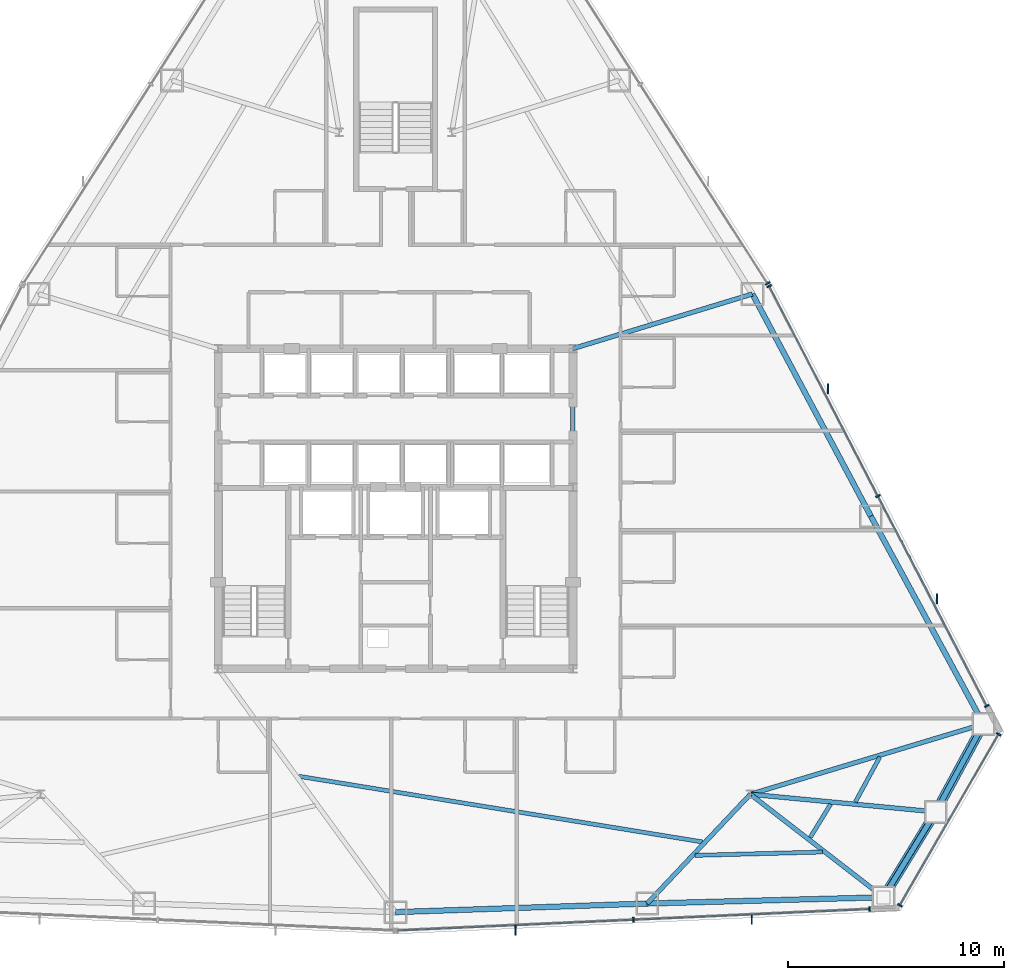
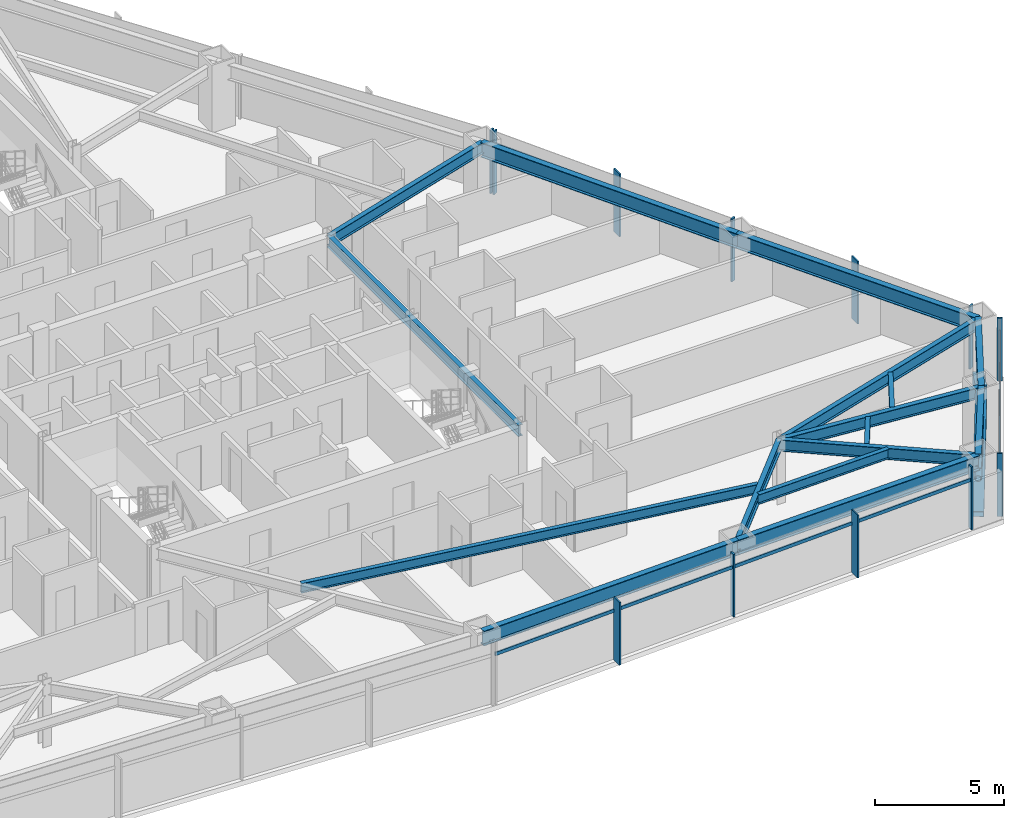
# One storey, part 6 of 13: 18 members, 16 beams, 4 elements without a shape of their own.
"""IFC4 building model written with IfcOpenShell, lengths in metres."""

from ifc_helpers import new_model, si_unit, direction, frame, origin, origin_2d, place, context, subcontext, project, spatial, rectangle, hollow_rectangle, hollow_circle, i_section, extrude, source, transform, mapped, material, layer, layer_set, material_profile, profile_set, type_object, type_shapes, element, aggregate, save


model = new_model("IFC4")

# Units and contexts
model_context = context("Model", 3, precision=1e-05, world=origin(), true_north=direction((0.0, 1.0)))
body_context = subcontext(model_context, "Body", "Model", "MODEL_VIEW")
ifc_project = project(units=[si_unit("LENGTHUNIT", "METRE"), si_unit("AREAUNIT", "SQUARE_METRE"), si_unit("VOLUMEUNIT", "CUBIC_METRE"), si_unit("PLANEANGLEUNIT", "RADIAN"), si_unit("MASSUNIT", "GRAM", prefix="KILO")], contexts=[model_context])

# Site, building, storey
site_placement = place(None, origin())
site = spatial("IfcSite", under=ifc_project, at=site_placement, CompositionType="ELEMENT")
building_placement = place(site_placement, origin())
building = spatial("IfcBuilding", under=site, at=building_placement, Name="Varakhsha Concourse Tower", CompositionType="ELEMENT")
storey_placement = place(building_placement, frame((0.0, 0.0, 86.199951171875)))
storey = spatial("IfcBuildingStorey", under=building, at=storey_placement, Name="L24", CompositionType="ELEMENT", Elevation=86.199951171875)

# Beams
ifc_material_1 = material(Name="Structural Steel ASTM A992 Grade 50", Category="steel")
ifc_material_profile_1 = material_profile(ifc_material_1, i_section(OverallWidth=0.19091796875, OverallDepth=0.45703125, WebThickness=0.009033203125, FlangeThickness=0.013916015625, at=origin_2d()), Name="W18X50")
ifc_profile_set_1 = profile_set([ifc_material_profile_1], Name="Structural Steel ASTM A992 Grade 50")
beam_type_1 = type_object("IfcBeamType", Name="BM-JST-W18X50", PredefinedType="JOIST", material=ifc_profile_set_1)
beam_1_placement = place(storey_placement, frame((35.5166015625, 11.43310546875, 2.741455078125), z_axis=(0.987027059065, -0.160553993018, 0.0), x_axis=(0.160553993018, 0.987027059065, 0.0)))
element("IfcBeam", 1, at=beam_1_placement, inside=storey, type_object=beam_type_1, Name="BM-TJST-L24-11", PredefinedType="JOIST", context=body_context, shape_type="SweptSolid", body=[
    extrude(i_section(OverallWidth=0.19091796875, OverallDepth=0.45703125, WebThickness=0.009033203125, FlangeThickness=0.013916015625, at=origin_2d()), origin(), (0.0, 0.0, 1.0), 18.9208984375),
])
beam_2_placement = place(storey_placement, frame((53.838134765625, 7.7744140625, 2.741455078125), z_axis=(0.999648110151, 0.02652651261, 0.0), x_axis=(-0.02652651261, 0.999648110151, 0.0)))
element("IfcBeam", 2, at=beam_2_placement, inside=storey, type_object=beam_type_1, Name="BM-TJST-L24-12", PredefinedType="JOIST", context=body_context, shape_type="SweptSolid", body=[
    extrude(i_section(OverallWidth=0.19091796875, OverallDepth=0.45703125, WebThickness=0.009033203125, FlangeThickness=0.013916015625, at=origin_2d()), origin(), (0.0, 0.0, 1.0), 5.899658203125),
])
beam_3_placement = place(storey_placement, frame((59.164794921875, 8.598876953125, 2.741455078125), z_axis=(0.522010135783, 0.852939281626, 0.0), x_axis=(-0.852939281626, 0.522010135783, 0.0)))
element("IfcBeam", 3, at=beam_3_placement, inside=storey, type_object=beam_type_1, Name="BM-TJST-L24-13", PredefinedType="JOIST", context=body_context, shape_type="SweptSolid", body=[
    extrude(i_section(OverallWidth=0.19091796875, OverallDepth=0.45703125, WebThickness=0.009033203125, FlangeThickness=0.013916015625, at=origin_2d()), origin(), (0.0, 0.0, 1.0), 1.815673828125),
])
beam_4_placement = place(storey_placement, frame((61.250732421875, 10.239990234375, 2.741455078125), z_axis=(0.477516776867, 0.87862263106, 0.0), x_axis=(-0.87862263106, 0.477516776867, 0.0)))
element("IfcBeam", 4, at=beam_4_placement, inside=storey, type_object=beam_type_1, Name="BM-TJST-L24-14", PredefinedType="JOIST", context=body_context, shape_type="SweptSolid", body=[
    extrude(i_section(OverallWidth=0.19091796875, OverallDepth=0.45703125, WebThickness=0.009033203125, FlangeThickness=0.013916015625, at=origin_2d()), origin(), (0.0, 0.0, 1.0), 2.370849609375),
])
ifc_material_profile_2 = material_profile(ifc_material_1, i_section(OverallWidth=0.2109375, OverallDepth=0.5390625, WebThickness=0.011962890625, FlangeThickness=0.01904296875, at=origin_2d()), Name="W21X73")
ifc_profile_set_2 = profile_set([ifc_material_profile_2], Name="Structural Steel ASTM A992 Grade 50")
beam_type_2 = type_object("IfcBeamType", Name="BM-RAD-W21X73", PredefinedType="BEAM", material=ifc_profile_set_2)
beam_5_placement = place(storey_placement, frame((48.199951171875, 16.39990234375, 2.700439453125), z_axis=(0.0, 1.0, 0.0), x_axis=(-1.0, 0.0, 0.0)))
element("IfcBeam", 5, at=beam_5_placement, inside=storey, type_object=beam_type_2, Name="BM-TCORE-L24-CE", PredefinedType="BEAM", context=body_context, shape_type="SweptSolid", body=[
    extrude(i_section(OverallWidth=0.2109375, OverallDepth=0.5390625, WebThickness=0.011962890625, FlangeThickness=0.01904296875, at=origin_2d()), origin(), (0.0, 0.0, 1.0), 14.800048828125),
])
beam_6_placement = place(storey_placement, frame((56.39990234375, 10.60009765625, 2.700439453125), z_axis=(-0.686667898497, -0.726971249207, 0.0), x_axis=(0.726971249207, -0.686667898497, 0.0)))
element("IfcBeam", 6, at=beam_6_placement, inside=storey, type_object=beam_type_2, Name="L24 Radial Floor Girder 12", PredefinedType="BEAM", context=body_context, shape_type="SweptSolid", body=[
    extrude(i_section(OverallWidth=0.2109375, OverallDepth=0.5390625, WebThickness=0.011962890625, FlangeThickness=0.01904296875, at=origin_2d()), origin(), (0.0, 0.0, 1.0), 6.947998046875),
])
beam_7_placement = place(storey_placement, frame((56.39990234375, 10.60009765625, 2.700439453125), z_axis=(0.790863829476, -0.611992159449, 0.0), x_axis=(0.611992159449, 0.790863829476, 0.0)))
element("IfcBeam", 7, at=beam_7_placement, inside=storey, type_object=beam_type_2, Name="L24 Radial Floor Girder 13", PredefinedType="BEAM", context=body_context, shape_type="SweptSolid", body=[
    extrude(i_section(OverallWidth=0.2109375, OverallDepth=0.5390625, WebThickness=0.011962890625, FlangeThickness=0.01904296875, at=origin_2d()), origin(), (0.0, 0.0, 1.0), 7.77978515625),
])
beam_8_placement = place(storey_placement, frame((56.39990234375, 10.60009765625, 2.700439453125), z_axis=(0.995499423712, -0.094767596724, 0.0), x_axis=(0.094767596724, 0.995499423712, 0.0)))
element("IfcBeam", 8, at=beam_8_placement, inside=storey, type_object=beam_type_2, Name="L24 Radial Floor Girder 14", PredefinedType="BEAM", context=body_context, shape_type="SweptSolid", body=[
    extrude(i_section(OverallWidth=0.2109375, OverallDepth=0.5390625, WebThickness=0.011962890625, FlangeThickness=0.01904296875, at=origin_2d()), origin(), (0.0, 0.0, 1.0), 8.607177734375),
])
beam_9_placement = place(storey_placement, frame((56.39990234375, 10.60009765625, 2.700439453125), z_axis=(0.957434410413, 0.288650913313, 0.0), x_axis=(-0.288650913313, 0.957434410413, 0.0)))
element("IfcBeam", 9, at=beam_9_placement, inside=storey, type_object=beam_type_2, Name="L24 Radial Floor Girder 15", PredefinedType="BEAM", context=body_context, shape_type="SweptSolid", body=[
    extrude(i_section(OverallWidth=0.2109375, OverallDepth=0.5390625, WebThickness=0.011962890625, FlangeThickness=0.01904296875, at=origin_2d()), origin(), (0.0, 0.0, 1.0), 11.2568359375),
])
beam_10_placement = place(storey_placement, frame((48.199951171875, 31.199951171875, 2.700439453125), z_axis=(0.956697744709, 0.291083193036, 0.0), x_axis=(-0.291083193036, 0.956697744709, 0.0)))
element("IfcBeam", 10, at=beam_10_placement, inside=storey, type_object=beam_type_2, Name="L24 Radial Floor Girder 17", PredefinedType="BEAM", context=body_context, shape_type="SweptSolid", body=[
    extrude(i_section(OverallWidth=0.2109375, OverallDepth=0.5390625, WebThickness=0.011962890625, FlangeThickness=0.01904296875, at=origin_2d()), origin(), (0.0, 0.0, 1.0), 8.671630859375),
])
ifc_material_profile_3 = material_profile(ifc_material_1, i_section(OverallWidth=0.25390625, OverallDepth=0.701904296875, WebThickness=0.014892578125, FlangeThickness=0.028076171875, at=origin_2d()), Name="W27X129")
ifc_profile_set_3 = profile_set([ifc_material_profile_3], Name="Structural Steel ASTM A992 Grade 50")
beam_type_3 = type_object("IfcBeamType", Name="BM-SPAN-W27X129", PredefinedType="SPANDREL", material=ifc_profile_set_3)
beam_11_placement = place(storey_placement, frame((40.0, 5.15185546875, 2.619140625), z_axis=(0.999417135447, 0.034137799785, 0.0), x_axis=(-0.034137799785, 0.999417135447, 0.0)))
element("IfcBeam", 11, at=beam_11_placement, inside=storey, type_object=beam_type_3, Name="BM-SPAN-L24-11", PredefinedType="SPANDREL", context=body_context, shape_type="SweptSolid", body=[
    extrude(i_section(OverallWidth=0.25390625, OverallDepth=0.701904296875, WebThickness=0.014892578125, FlangeThickness=0.028076171875, at=origin_2d()), origin(), (0.0, 0.0, 1.0), 11.6357421875),
])
beam_12_placement = place(storey_placement, frame((51.62890625, 5.549072265625, 2.619140625), z_axis=(0.999648299755, 0.026519366436, 0.0), x_axis=(-0.026519366436, 0.999648299755, 0.0)))
element("IfcBeam", 12, at=beam_12_placement, inside=storey, type_object=beam_type_3, Name="BM-SPAN-L24-12", PredefinedType="SPANDREL", context=body_context, shape_type="SweptSolid", body=[
    extrude(i_section(OverallWidth=0.25390625, OverallDepth=0.701904296875, WebThickness=0.014892578125, FlangeThickness=0.028076171875, at=origin_2d()), origin(), (0.0, 0.0, 1.0), 10.927734375),
])
beam_13_placement = place(storey_placement, frame((62.552734375, 5.8388671875, 2.619140625), z_axis=(0.522135058867, 0.852862814468, 0.0), x_axis=(-0.852862814468, 0.522135058867, 0.0)))
element("IfcBeam", 13, at=beam_13_placement, inside=storey, type_object=beam_type_3, Name="BM-SPAN-L24-13", PredefinedType="SPANDREL", context=body_context, shape_type="SweptSolid", body=[
    extrude(i_section(OverallWidth=0.25390625, OverallDepth=0.701904296875, WebThickness=0.014892578125, FlangeThickness=0.028076171875, at=origin_2d()), origin(), (0.0, 0.0, 1.0), 4.626220703125),
])
beam_14_placement = place(storey_placement, frame((64.96826171875, 9.784423828125, 2.619140625), z_axis=(0.47751686281, 0.878622584351, 0.0), x_axis=(-0.878622584351, 0.47751686281, 0.0)))
element("IfcBeam", 14, at=beam_14_placement, inside=storey, type_object=beam_type_3, Name="BM-SPAN-L24-14", PredefinedType="SPANDREL", context=body_context, shape_type="SweptSolid", body=[
    extrude(i_section(OverallWidth=0.25390625, OverallDepth=0.701904296875, WebThickness=0.014892578125, FlangeThickness=0.028076171875, at=origin_2d()), origin(), (0.0, 0.0, 1.0), 4.62646484375),
])
beam_15_placement = place(storey_placement, frame((67.177490234375, 13.849365234375, 2.619140625), z_axis=(-0.476839407103, 0.878990432163, 0.0), x_axis=(-0.878990432163, -0.476839407103, 0.0)))
element("IfcBeam", 15, at=beam_15_placement, inside=storey, type_object=beam_type_3, Name="BM-SPAN-L24-15", PredefinedType="SPANDREL", context=body_context, shape_type="SweptSolid", body=[
    extrude(i_section(OverallWidth=0.25390625, OverallDepth=0.701904296875, WebThickness=0.014892578125, FlangeThickness=0.028076171875, at=origin_2d()), origin(), (0.0, 0.0, 1.0), 10.927490234375),
])
beam_16_placement = place(storey_placement, frame((61.966796875, 23.45458984375, 2.619140625), z_axis=(-0.470161283072, 0.882580516384, 0.0), x_axis=(-0.882580516384, -0.470161283072, 0.0)))
element("IfcBeam", 16, at=beam_16_placement, inside=storey, type_object=beam_type_3, Name="BM-SPAN-L24-16", PredefinedType="SPANDREL", context=body_context, shape_type="SweptSolid", body=[
    extrude(i_section(OverallWidth=0.25390625, OverallDepth=0.701904296875, WebThickness=0.014892578125, FlangeThickness=0.028076171875, at=origin_2d()), origin(), (0.0, 0.0, 1.0), 11.6357421875),
])

# Members
ifc_material_2 = material(Name="Structural Steel ASTM A500 Grade C", Category="steel")
ifc_material_profile_4 = material_profile(ifc_material_2, hollow_rectangle(XDim=0.449951171875, YDim=0.449951171875, WallThickness=0.01904296875, at=origin_2d()), Name="HSS 450x450x19")
ifc_profile_set_4 = profile_set([ifc_material_profile_4], Name="Structural Steel ASTM A500 Grade C")
member_type_1 = type_object("IfcMemberType", Name="MB-TUBE-HSS450", PredefinedType="BRACE", material=ifc_profile_set_4)
shared_shape_1 = source(origin(), body_context, "Body", "SweptSolid", [
    extrude(hollow_rectangle(XDim=0.449951171875, YDim=0.449951171875, WallThickness=0.01904296875, at=origin_2d()), origin(), (0.0, 0.0, 1.0), 5.282470703125),
])
member_1_placement = place(storey_placement, frame((62.552734375, 5.8388671875, 0.1201171875), z_axis=(0.457268644843, 0.746909093319, 0.482734080795), x_axis=(-0.852862814468, 0.522135058867, 0.0)))
element("IfcMember", 17, at=member_1_placement, inside=storey, type_object=member_type_1, Name="L24 Wind-Corner Tube Brace B05", PredefinedType="BRACE", context=body_context, shape_type="MappedRepresentation", body=[
    mapped(shared_shape_1, transform((0.0, 0.0, 0.0), scale=1.0)),
])
shared_shape_2 = source(origin(), body_context, "Body", "SweptSolid", [
    extrude(hollow_rectangle(XDim=0.449951171875, YDim=0.449951171875, WallThickness=0.01904296875, at=origin_2d()), origin(), (0.0, 0.0, 1.0), 5.28271484375),
])
type_shapes(member_type_1, [shared_shape_1, shared_shape_2])
member_2_placement = place(storey_placement, frame((67.177490234375, 13.849365234375, 0.1201171875), z_axis=(-0.418198623406, -0.769478072684, 0.482714622774), x_axis=(0.878622584351, -0.47751686281, 0.0)))
element("IfcMember", 18, at=member_2_placement, inside=storey, type_object=member_type_1, Name="L24 Wind-Corner Tube Brace B06", PredefinedType="BRACE", context=body_context, shape_type="MappedRepresentation", body=[
    mapped(shared_shape_2, transform((0.0, 0.0, 0.0), scale=1.0)),
])
ifc_material_profile_5 = material_profile(ifc_material_2, hollow_circle(Radius=0.136474609375, WallThickness=0.011962890625, at=origin_2d()), Name="CHS 273x12")
ifc_profile_set_5 = profile_set([ifc_material_profile_5], Name="Structural Steel ASTM A500 Grade C")
member_type_2 = type_object("IfcMemberType", Name="MB-WIND-CHS273", PredefinedType="COLLAR", material=ifc_profile_set_5)
shared_shape_3 = source(origin(), body_context, "Body", "SweptSolid", [
    extrude(hollow_circle(Radius=0.136474609375, WallThickness=0.011962890625, at=origin_2d()), origin(), (0.0, 0.0, 1.0), 4.626220703125),
])
type_shapes(member_type_2, [shared_shape_3])
member_3_placement = place(storey_placement, frame((62.552734375, 5.8388671875, 1.800048828125), z_axis=(0.522135058867, 0.852862814468, 0.0), x_axis=(-0.852862814468, 0.522135058867, 0.0)))
element("IfcMember", 19, at=member_3_placement, inside=storey, type_object=member_type_2, Name="L24 Wind-Corner Collar Tie 3", PredefinedType="COLLAR", context=body_context, shape_type="MappedRepresentation", body=[
    mapped(shared_shape_3, transform((0.0, 0.0, 0.0), scale=1.0)),
])

# Curtain wall, members
ifc_material_3 = material(Name="Anodised Bronze Architectural Aluminium AA 6063-T6", Category="aluminium")
ifc_layer = layer(ifc_material_3, 0.199951171875, Name="CW-SYS-03")
ifc_layer_set = layer_set([ifc_layer], Name="Anodised Bronze Architectural Aluminium AA 6063-T6")
curtain_wall_type = type_object("IfcCurtainWallType", Name="CW-SYS-03", PredefinedType="NOTDEFINED", material=ifc_layer_set)
curtain_wall_1_placement = place(storey_placement, origin())
curtain_wall_1 = element("IfcCurtainWall", 20, at=curtain_wall_1_placement, inside=storey, type_object=curtain_wall_type, Name="L24 Crystal Curtain Wall F6", PredefinedType="NOTDEFINED")
ifc_material_profile_6 = material_profile(ifc_material_3, rectangle(XDim=0.074951171875, YDim=0.219970703125, at=origin_2d()), Name="CWM-220X75")
ifc_profile_set_6 = profile_set([ifc_material_profile_6], Name="Anodised Bronze Architectural Aluminium AA 6063-T6")
member_type_3 = type_object("IfcMemberType", Name="CWM-220X75", PredefinedType="MULLION", material=ifc_profile_set_6)
shared_shape_4 = source(origin(), body_context, "Body", "SweptSolid", [
    extrude(rectangle(XDim=0.074951171875, YDim=0.219970703125, at=origin_2d()), origin(), (0.0, 0.0, 1.0), 2.969970703125),
])
type_shapes(member_type_3, [shared_shape_4])
member_4_placement = place(storey_placement, frame((61.911865234375, 5.29541015625, 0.0), z_axis=(0.0, 0.0, 1.0), x_axis=(-0.998969777905, -0.045380423448, 0.0)))
member_4 = element("IfcMember", 21, at=member_4_placement, type_object=member_type_3, Name="CW-L24-F6 Mullion 00", PredefinedType="MULLION", context=body_context, shape_type="MappedRepresentation", body=[
    mapped(shared_shape_4, transform((0.0, 0.0, 0.0), scale=1.0)),
])
member_5_placement = place(storey_placement, frame((50.9921875, 4.79931640625, 0.0), z_axis=(0.0, 0.0, 1.0), x_axis=(-0.998969777905, -0.045380423448, 0.0)))
member_5 = element("IfcMember", 22, at=member_5_placement, type_object=member_type_3, Name="CW-L24-F6 Mullion 01", PredefinedType="MULLION", context=body_context, shape_type="MappedRepresentation", body=[
    mapped(shared_shape_4, transform((0.0, 0.0, 0.0), scale=1.0)),
])

curtain_wall_2_placement = place(storey_placement, origin())
curtain_wall_2 = element("IfcCurtainWall", 23, at=curtain_wall_2_placement, inside=storey, type_object=curtain_wall_type, Name="L24 Chamfer Curtain Wall F7", PredefinedType="NOTDEFINED")
member_6_placement = place(storey_placement, frame((67.874755859375, 13.378662109375, 0.0), z_axis=(0.0, 0.0, 1.0), x_axis=(-0.499996976998, -0.866027149108, 0.0)))
member_6 = element("IfcMember", 24, at=member_6_placement, type_object=member_type_3, Name="CW-L24-F7 Mullion 00", PredefinedType="MULLION", context=body_context, shape_type="MappedRepresentation", body=[
    mapped(shared_shape_4, transform((0.0, 0.0, 0.0), scale=1.0)),
])
member_7_placement = place(storey_placement, frame((63.30908203125, 5.470458984375, 0.0), z_axis=(0.0, 0.0, 1.0), x_axis=(-0.499996976998, -0.866027149108, 0.0)))
member_7 = element("IfcMember", 25, at=member_7_placement, type_object=member_type_3, Name="CW-L24-F7 Mullion 01", PredefinedType="MULLION", context=body_context, shape_type="MappedRepresentation", body=[
    mapped(shared_shape_4, transform((0.0, 0.0, 0.0), scale=1.0)),
])

curtain_wall_3_placement = place(storey_placement, origin())
curtain_wall_3 = element("IfcCurtainWall", 26, at=curtain_wall_3_placement, inside=storey, type_object=curtain_wall_type, Name="L24 Crystal Curtain Wall F8", PredefinedType="NOTDEFINED")
member_8_placement = place(storey_placement, frame((57.267333984375, 34.08544921875, 0.0), z_axis=(0.0, 0.0, 1.0), x_axis=(0.460185838956, -0.887822613828, 0.0)))
member_8 = element("IfcMember", 27, at=member_8_placement, type_object=member_type_3, Name="CW-L24-F8 Mullion 00", PredefinedType="MULLION", context=body_context, shape_type="MappedRepresentation", body=[
    mapped(shared_shape_4, transform((0.0, 0.0, 0.0), scale=1.0)),
])
member_9_placement = place(storey_placement, frame((62.297607421875, 24.380859375, 0.0), z_axis=(0.0, 0.0, 1.0), x_axis=(0.460185838956, -0.887822613828, 0.0)))
member_9 = element("IfcMember", 28, at=member_9_placement, type_object=member_type_3, Name="CW-L24-F8 Mullion 01", PredefinedType="MULLION", context=body_context, shape_type="MappedRepresentation", body=[
    mapped(shared_shape_4, transform((0.0, 0.0, 0.0), scale=1.0)),
])
member_10_placement = place(storey_placement, frame((67.327880859375, 14.67626953125, 0.0), z_axis=(0.0, 0.0, 1.0), x_axis=(0.460185838956, -0.887822613828, 0.0)))
member_10 = element("IfcMember", 29, at=member_10_placement, type_object=member_type_3, Name="CW-L24-F8 Mullion 02", PredefinedType="MULLION", context=body_context, shape_type="MappedRepresentation", body=[
    mapped(shared_shape_4, transform((0.0, 0.0, 0.0), scale=1.0)),
])

# Curtain wall, member
curtain_wall_4_placement = place(storey_placement, origin())
curtain_wall_4 = element("IfcCurtainWall", 30, at=curtain_wall_4_placement, inside=storey, type_object=curtain_wall_type, Name="L24 Crystal Curtain Wall F9", PredefinedType="NOTDEFINED")
member_11_placement = place(storey_placement, frame((57.194580078125, 34.211181640625, 0.0), z_axis=(0.0, 0.0, 1.0), x_axis=(0.538786958833, -0.842442053195, 0.0)))
member_11 = element("IfcMember", 31, at=member_11_placement, type_object=member_type_3, Name="CW-L24-F9 Mullion 02", PredefinedType="MULLION", context=body_context, shape_type="MappedRepresentation", body=[
    mapped(shared_shape_4, transform((0.0, 0.0, 0.0), scale=1.0)),
])
aggregate(curtain_wall_4, [member_11])

# Member
ifc_material_profile_7 = material_profile(ifc_material_3, rectangle(XDim=0.06494140625, YDim=0.449951171875, at=origin_2d()), Name="FIN-BRZ-450")
ifc_profile_set_7 = profile_set([ifc_material_profile_7], Name="Anodised Bronze Architectural Aluminium AA 6063-T6")
member_type_4 = type_object("IfcMemberType", Name="FIN-BRZ-450", PredefinedType="USERDEFINED", material=ifc_profile_set_7)
shared_shape_5 = source(origin(), body_context, "Body", "SweptSolid", [
    extrude(rectangle(XDim=0.06494140625, YDim=0.449951171875, at=origin_2d()), origin(), (0.0, 0.0, 1.0), 2.969970703125),
])
type_shapes(member_type_4, [shared_shape_5])
member_12_placement = place(storey_placement, frame((56.462890625, 4.8076171875, 0.0), z_axis=(0.0, 0.0, 1.0), x_axis=(1.0, 0.0, 0.0)))
member_12 = element("IfcMember", 32, at=member_12_placement, type_object=member_type_4, Name="L24 Anodised Bronze Solar Fin F6-1", ObjectType="SOLAR FIN", PredefinedType="USERDEFINED", context=body_context, shape_type="MappedRepresentation", body=[
    mapped(shared_shape_5, transform((0.0, 0.0, 0.0), scale=1.0)),
])

member_13_placement = place(storey_placement, frame((45.54345703125, 4.3115234375, 0.0), z_axis=(0.0, 0.0, 1.0), x_axis=(1.0, 0.0, 0.0)))
member_13 = element("IfcMember", 33, at=member_13_placement, type_object=member_type_4, Name="L24 Anodised Bronze Solar Fin F6-2", ObjectType="SOLAR FIN", PredefinedType="USERDEFINED", context=body_context, shape_type="MappedRepresentation", body=[
    mapped(shared_shape_5, transform((0.0, 0.0, 0.0), scale=1.0)),
])

member_14_placement = place(storey_placement, frame((59.99560546875, 29.343505859375, 0.0), z_axis=(0.0, 0.0, 1.0), x_axis=(1.0, 0.0, 0.0)))
member_14 = element("IfcMember", 34, at=member_14_placement, type_object=member_type_4, Name="L24 Anodised Bronze Solar Fin F8-1", ObjectType="SOLAR FIN", PredefinedType="USERDEFINED", context=body_context, shape_type="MappedRepresentation", body=[
    mapped(shared_shape_5, transform((0.0, 0.0, 0.0), scale=1.0)),
])

member_15_placement = place(storey_placement, frame((65.02587890625, 19.638916015625, 0.0), z_axis=(0.0, 0.0, 1.0), x_axis=(1.0, 0.0, 0.0)))
member_15 = element("IfcMember", 35, at=member_15_placement, type_object=member_type_4, Name="L24 Anodised Bronze Solar Fin F8-2", ObjectType="SOLAR FIN", PredefinedType="USERDEFINED", context=body_context, shape_type="MappedRepresentation", body=[
    mapped(shared_shape_5, transform((0.0, 0.0, 0.0), scale=1.0)),
])

ifc_material_profile_8 = material_profile(ifc_material_3, rectangle(XDim=0.06494140625, YDim=0.159912109375, at=origin_2d()), Name="CWT-160X65")
ifc_profile_set_8 = profile_set([ifc_material_profile_8], Name="Anodised Bronze Architectural Aluminium AA 6063-T6")
member_type_5 = type_object("IfcMemberType", Name="CWT-160X65", PredefinedType="USERDEFINED", material=ifc_profile_set_8)
shared_shape_6 = source(origin(), body_context, "Body", "SweptSolid", [
    extrude(rectangle(XDim=0.06494140625, YDim=0.159912109375, at=origin_2d()), origin(), (0.0, 0.0, 1.0), 21.861572265625),
])
member_16_placement = place(storey_placement, frame((61.911865234375, 5.29541015625, 2.320068359375), z_axis=(-0.998969576113, -0.045384865318, 0.0), x_axis=(0.045384865318, -0.998969576113, 0.0)))
member_16 = element("IfcMember", 36, at=member_16_placement, type_object=member_type_5, Name="CW-L24-F6 Transom 01", ObjectType="TRANSOM", PredefinedType="USERDEFINED", context=body_context, shape_type="MappedRepresentation", body=[
    mapped(shared_shape_6, transform((0.0, 0.0, 0.0), scale=1.0)),
])

aggregate(curtain_wall_1, [member_4, member_5, member_16, member_12, member_13])

member_17_placement = place(storey_placement, frame((57.267333984375, 34.08544921875, 2.320068359375), z_axis=(0.460191986848, -0.887819427159, 0.0), x_axis=(0.887819427159, 0.460191986848, 0.0)))
member_17 = element("IfcMember", 37, at=member_17_placement, type_object=member_type_5, Name="CW-L24-F8 Transom 01", ObjectType="TRANSOM", PredefinedType="USERDEFINED", context=body_context, shape_type="MappedRepresentation", body=[
    mapped(shared_shape_6, transform((0.0, 0.0, 0.0), scale=1.0)),
])

aggregate(curtain_wall_3, [member_8, member_9, member_10, member_17, member_14, member_15])

shared_shape_7 = source(origin(), body_context, "Body", "SweptSolid", [
    extrude(rectangle(XDim=0.06494140625, YDim=0.159912109375, at=origin_2d()), origin(), (0.0, 0.0, 1.0), 9.131591796875),
])
type_shapes(member_type_5, [shared_shape_6, shared_shape_7])
member_18_placement = place(storey_placement, frame((67.874755859375, 13.378662109375, 2.320068359375), z_axis=(-0.499989374027, -0.866031538606, 0.0), x_axis=(0.866031538606, -0.499989374027, 0.0)))
member_18 = element("IfcMember", 38, at=member_18_placement, type_object=member_type_5, Name="CW-L24-F7 Transom 01", ObjectType="TRANSOM", PredefinedType="USERDEFINED", context=body_context, shape_type="MappedRepresentation", body=[
    mapped(shared_shape_7, transform((0.0, 0.0, 0.0), scale=1.0)),
])

aggregate(curtain_wall_2, [member_6, member_7, member_18])

save(model, "model.ifc")
